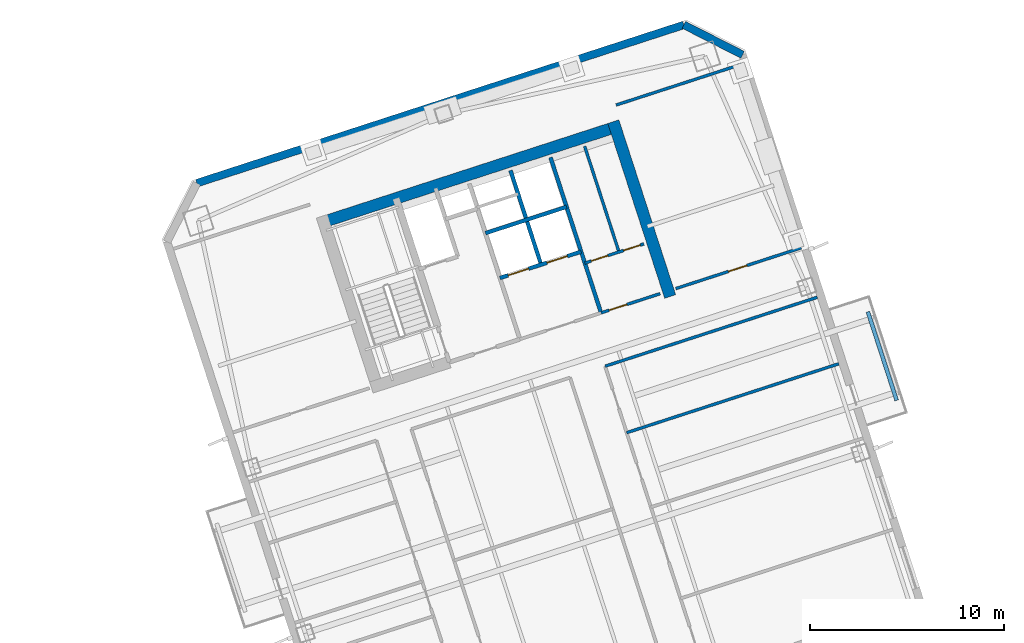
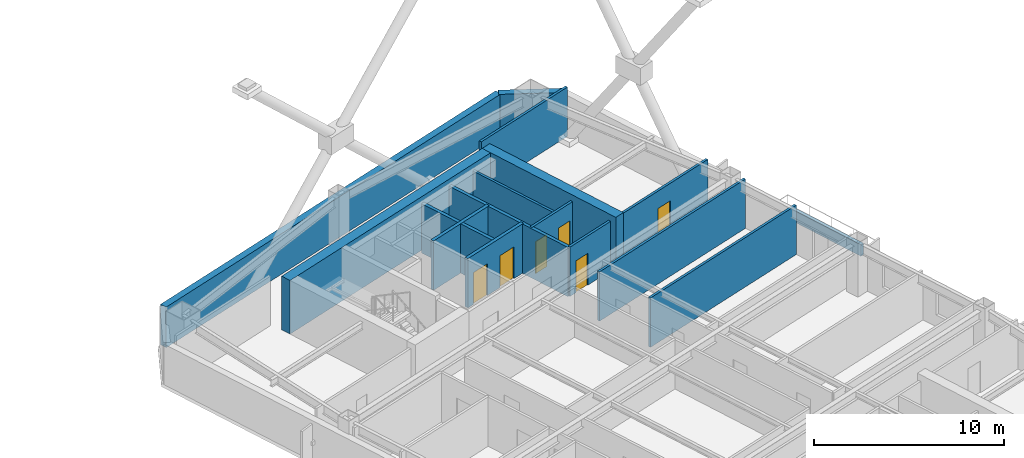
# One storey, part 11 of 18: 16 walls, 6 doors, 6 openings.
"""IFC4 building model written with IfcOpenShell, lengths in metres."""

from ifc_helpers import new_model, si_unit, direction, frame, frame_2d, origin, place, context, subcontext, project, spatial, rectangle, extrude, material, layer, layer_set, type_object, element, fill, save


model = new_model("IFC4")

# Units and contexts
model_context = context("Model", 3, precision=1e-05, world=origin(), true_north=direction((0.0, 1.0)))
body_context = subcontext(model_context, "Body", "Model", "MODEL_VIEW")
ifc_project = project(units=[si_unit("LENGTHUNIT", "METRE"), si_unit("AREAUNIT", "SQUARE_METRE"), si_unit("VOLUMEUNIT", "CUBIC_METRE"), si_unit("PLANEANGLEUNIT", "RADIAN"), si_unit("MASSUNIT", "GRAM", prefix="KILO")], contexts=[model_context])

# Site, building, storey
site_placement = place(None, origin())
site = spatial("IfcSite", under=ifc_project, at=site_placement, CompositionType="ELEMENT")
building_placement = place(site_placement, origin())
building = spatial("IfcBuilding", under=site, at=building_placement, Name="Qiaolan Cultural Towers", CompositionType="ELEMENT")
storey_placement = place(building_placement, frame((0.0, 0.0, 163.300048828125)))
storey = spatial("IfcBuildingStorey", under=building, at=storey_placement, Name="L43", CompositionType="ELEMENT", Elevation=163.300048828125)

# Walls
ifc_material_1 = material(Name="Concrete C55", Category="concrete")
ifc_layer_1 = layer(ifc_material_1, 0.60009765625)
ifc_layer_set_1 = layer_set([ifc_layer_1], Name="Concrete C55")
wall_type_1 = type_object("IfcWallType", Name="WL-CORE-600", PredefinedType="SHEAR", material=ifc_layer_set_1)
wall_1_placement = place(storey_placement, frame((76.343505859375, 50.4658203125, 0.0), z_axis=(0.0, 0.0, 1.0), x_axis=(0.951055727519, 0.309019421968, 0.0)))
element("IfcWall", 1, at=wall_1_placement, inside=storey, type_object=wall_type_1, Name="L43 T2-CN Outer Core Shear Wall", PredefinedType="SHEAR", context=body_context, shape_type="SweptSolid", body=[
    extrude(rectangle(XDim=16.39990234375, YDim=0.60009765625, at=frame_2d((8.199951171875, 0.0))), origin(), (0.0, 0.0, 1.0), 3.449951171875),
])
wall_2_placement = place(storey_placement, frame((94.4921875, 46.710205078125, 0.0), z_axis=(0.0, 0.0, 1.0), x_axis=(-0.309010370028, 0.95105866865, 0.0)))
element("IfcWall", 2, at=wall_2_placement, inside=storey, type_object=wall_type_1, Name="L43 T2-CN East Core Shear Wall", PredefinedType="SHEAR", context=body_context, shape_type="SweptSolid", body=[
    extrude(rectangle(XDim=9.47998046875, YDim=0.60009765625, at=frame_2d((4.739990234375, 0.0))), origin(), (0.0, 0.0, 1.0), 3.449951171875),
])
ifc_material_2 = material(Name="Precast Concrete C50 Honed Stone Pier", Category="masonry")
ifc_layer_2 = layer(ifc_material_2, 0.39990234375)
ifc_layer_set_2 = layer_set([ifc_layer_2], Name="Precast Concrete C50 Honed Stone Pier")
wall_type_2 = type_object("IfcWallType", Name="WL-EXT-PIER-400", PredefinedType="SOLIDWALL", material=ifc_layer_set_2)
wall_3_placement = place(storey_placement, frame((70.091552734375, 52.55615234375, 0.0), z_axis=(0.0, 0.0, 1.0), x_axis=(0.951057580055, 0.30901372044, 0.0)))
element("IfcWall", 3, at=wall_3_placement, inside=storey, type_object=wall_type_2, Name="L43 East Tower Precast Pier Facade Wall F3", PredefinedType="SOLIDWALL", context=body_context, shape_type="SweptSolid", body=[
    extrude(rectangle(XDim=26.39990234375, YDim=0.39990234375, at=frame_2d((13.199951171875, 0.0))), origin(), (0.0, 0.0, 1.0), 2.60986328125),
])
wall_4_placement = place(storey_placement, frame((95.199462890625, 60.714111328125, 0.0), z_axis=(0.0, 0.0, 1.0), x_axis=(0.891020832027, -0.453962417932, 0.0)))
element("IfcWall", 4, at=wall_4_placement, inside=storey, type_object=wall_type_2, Name="L43 East Tower Precast Pier Facade Wall F4", PredefinedType="SOLIDWALL", context=body_context, shape_type="SweptSolid", body=[
    extrude(rectangle(XDim=3.39404296875, YDim=0.39990234375, at=frame_2d((1.697021484375, 0.0))), origin(), (0.0, 0.0, 1.0), 2.60986328125),
])
ifc_material_3 = material(Name="Concrete C35 Fire Wall", Category="concrete")
ifc_layer_3 = layer(ifc_material_3, 0.199951171875)
ifc_layer_set_3 = layer_set([ifc_layer_3], Name="Concrete C35 Fire Wall")
wall_type_3 = type_object("IfcWallType", Name="WL-FIRE-200", PredefinedType="PARTITIONING", material=ifc_layer_set_3)
wall_5_placement = place(storey_placement, frame((90.92822265625, 45.86767578125, 0.0), z_axis=(0.0, 0.0, 1.0), x_axis=(-0.309042196757, 0.951048327176, 0.0)))
element("IfcWall", 5, at=wall_5_placement, inside=storey, type_object=wall_type_3, Name="L43 T2-CN Lift Core East Wall", PredefinedType="PARTITIONING", context=body_context, shape_type="SweptSolid", body=[
    extrude(rectangle(XDim=8.429931640625, YDim=0.199951171875, at=frame_2d((4.21484375, 0.0))), origin(), (0.0, 0.0, 1.0), 3.175048828125),
])

# Wall, openings, doors
wall_6_placement = place(storey_placement, frame((85.717529296875, 47.66552734375, 0.0), z_axis=(0.0, 0.0, 1.0), x_axis=(0.951058531764, 0.30901079133, 0.0)))
wall_6 = element("IfcWall", 6, at=wall_6_placement, inside=storey, type_object=wall_type_3, Name="L43 T2-CN Passenger Lift Shaft Front Wall", PredefinedType="PARTITIONING", context=body_context, shape_type="SweptSolid", body=[
    extrude(rectangle(XDim=4.39990234375, YDim=0.199951171875, at=frame_2d((2.199951171875, 0.0))), origin(), (0.0, 0.0, 1.0), 3.175048828125),
])
opening_1_placement = place(wall_6_placement, frame((0.449951171875, 0.0, 0.0)))
opening_1 = element("IfcOpeningElement", 7, at=opening_1_placement, cuts=wall_6, Name="Opening LD-01", PredefinedType="OPENING", context=body_context, shape_type="SweptSolid", body=[
    extrude(rectangle(XDim=1.10009765625, YDim=2.050048828125, at=frame_2d((0.550048828125, 1.02490234375))), frame((0.0, 0.10986328125, 0.0), z_axis=(0.0, -1.0, 0.0), x_axis=(1.0, 0.0, 0.0)), (0.0, 0.0, 1.0), 0.219970703125),
])
opening_2_placement = place(wall_6_placement, frame((2.550048828125, 0.0, 0.0)))
opening_2 = element("IfcOpeningElement", 8, at=opening_2_placement, cuts=wall_6, Name="Opening LD-01", PredefinedType="OPENING", context=body_context, shape_type="SweptSolid", body=[
    extrude(rectangle(XDim=1.10009765625, YDim=2.050048828125, at=frame_2d((0.550048828125, 1.02490234375))), frame((0.0, 0.10986328125, 0.0), z_axis=(0.0, -1.0, 0.0), x_axis=(1.0, 0.0, 0.0)), (0.0, 0.0, 1.0), 0.219970703125),
])
ifc_material_4 = material(Name="Brushed Stainless Steel S30408 Centre-Parting Lift Landing Door", Category="steel")
door_type_1 = type_object("IfcDoorType", Name="DR-LIFT-1100", OperationType="NOTDEFINED", PredefinedType="DOOR", material=ifc_material_4)
door_1_placement = place(opening_1_placement, origin())
door_1 = element("IfcDoor", 9, at=door_1_placement, inside=storey, type_object=door_type_1, Name="L43 Passenger Lift 1 Landing Door", OperationType="DOUBLE_DOOR_SLIDING", OverallHeight=2.050048828125, OverallWidth=1.10009765625, PredefinedType="DOOR", context=body_context, shape_type="SweptSolid", body=[
    extrude(rectangle(XDim=1.10009765625, YDim=2.050048828125, at=frame_2d((0.550048828125, 1.02490234375))), frame((0.0, 0.02490234375, 0.0), z_axis=(0.0, -1.0, 0.0), x_axis=(1.0, 0.0, 0.0)), (0.0, 0.0, 1.0), 0.050048828125),
])
fill(opening_1, door_1)
door_2_placement = place(opening_2_placement, origin())
door_2 = element("IfcDoor", 10, at=door_2_placement, inside=storey, type_object=door_type_1, Name="L43 Passenger Lift 2 Landing Door", OperationType="DOUBLE_DOOR_SLIDING", OverallHeight=2.050048828125, OverallWidth=1.10009765625, PredefinedType="DOOR", context=body_context, shape_type="SweptSolid", body=[
    extrude(rectangle(XDim=1.10009765625, YDim=2.050048828125, at=frame_2d((0.550048828125, 1.02490234375))), frame((0.0, 0.02490234375, 0.0), z_axis=(0.0, -1.0, 0.0), x_axis=(1.0, 0.0, 0.0)), (0.0, 0.0, 1.0), 0.050048828125),
])
fill(opening_2, door_2)

# Walls
wall_7_placement = place(storey_placement, frame((87.83837890625, 48.3544921875, 0.0), z_axis=(0.0, 0.0, 1.0), x_axis=(-0.3090093719, 0.951058992953, 0.0)))
element("IfcWall", 11, at=wall_7_placement, inside=storey, type_object=wall_type_3, Name="L43 T2-CN Lift Shaft Divider Wall", PredefinedType="PARTITIONING", context=body_context, shape_type="SweptSolid", body=[
    extrude(rectangle(XDim=5.110107421875, YDim=0.199951171875, at=frame_2d((2.55517578125, 0.0))), origin(), (0.0, 0.0, 1.0), 3.175048828125),
])
wall_8_placement = place(storey_placement, frame((84.966552734375, 49.9765625, 0.0), z_axis=(0.0, 0.0, 1.0), x_axis=(0.951063829732, 0.308994485023, 0.0)))
element("IfcWall", 12, at=wall_8_placement, inside=storey, type_object=wall_type_3, Name="L43 T2-CN Passenger Lift Shaft Back Wall", PredefinedType="PARTITIONING", context=body_context, shape_type="SweptSolid", body=[
    extrude(rectangle(XDim=4.400146484375, YDim=0.199951171875, at=frame_2d((2.2001953125, 0.0))), origin(), (0.0, 0.0, 1.0), 3.175048828125),
])

# Wall, opening, door
ifc_material_5 = material(Name="Autoclaved Aerated Concrete Block B06", Category="concrete")
ifc_layer_4 = layer(ifc_material_5, 0.14990234375)
ifc_layer_set_4 = layer_set([ifc_layer_4], Name="Autoclaved Aerated Concrete Block B06")
wall_type_4 = type_object("IfcWallType", Name="WL-PART-150", PredefinedType="PARTITIONING", material=ifc_layer_set_4)
wall_9_placement = place(storey_placement, frame((90.92822265625, 45.86767578125, 0.0), z_axis=(0.0, 0.0, 1.0), x_axis=(0.951059297078, 0.309008435874, 0.0)))
wall_9 = element("IfcWall", 13, at=wall_9_placement, inside=storey, type_object=wall_type_4, Name="L43 T2-CN Sanitary Core Front Wall", PredefinedType="PARTITIONING", context=body_context, shape_type="SweptSolid", body=[
    extrude(rectangle(XDim=3.19970703125, YDim=0.14990234375, at=frame_2d((1.599853515625, 0.0))), origin(), (0.0, 0.0, 1.0), 3.175048828125),
])
opening_3_placement = place(wall_9_placement, frame((0.449951171875, 0.0, 0.0)))
opening_3 = element("IfcOpeningElement", 14, at=opening_3_placement, cuts=wall_9, Name="Opening ID-05", PredefinedType="OPENING", context=body_context, shape_type="SweptSolid", body=[
    extrude(rectangle(XDim=0.949951171875, YDim=2.050048828125, at=frame_2d((0.47509765625, 1.02490234375))), frame((0.0, 0.0849609375, 0.0), z_axis=(0.0, -1.0, 0.0), x_axis=(1.0, 0.0, 0.0)), (0.0, 0.0, 1.0), 0.169921875),
])
ifc_material_6 = material(Name="Fire-Rated Laminate Accessible Core Door", Category="timber")
door_type_2 = type_object("IfcDoorType", Name="DR-INT-950", OperationType="NOTDEFINED", PredefinedType="DOOR", material=ifc_material_6)
door_3_placement = place(opening_3_placement, origin())
door_3 = element("IfcDoor", 15, at=door_3_placement, inside=storey, type_object=door_type_2, Name="L43 Sanitary Vestibule Door", OperationType="SINGLE_SWING_LEFT", OverallHeight=2.050048828125, OverallWidth=0.949951171875, PredefinedType="DOOR", context=body_context, shape_type="SweptSolid", body=[
    extrude(rectangle(XDim=0.949951171875, YDim=2.050048828125, at=frame_2d((0.47509765625, 1.02490234375))), frame((0.0, 0.02490234375, 0.0), z_axis=(0.0, -1.0, 0.0), x_axis=(1.0, 0.0, 0.0)), (0.0, 0.0, 1.0), 0.050048828125),
])
fill(opening_3, door_3)

# Wall, openings, doors
wall_10_placement = place(storey_placement, frame((90.09375, 48.435546875, 0.0), z_axis=(0.0, 0.0, 1.0), x_axis=(0.951066581729, 0.308986014439, 0.0)))
wall_10 = element("IfcWall", 16, at=wall_10_placement, inside=storey, type_object=wall_type_4, Name="L43 T2-CN Restroom Vestibule Wall", PredefinedType="PARTITIONING", context=body_context, shape_type="SweptSolid", body=[
    extrude(rectangle(XDim=3.199951171875, YDim=0.14990234375, at=frame_2d((1.60009765625, 0.0))), origin(), (0.0, 0.0, 1.0), 3.175048828125),
])
opening_4_placement = place(wall_10_placement, frame((0.35009765625, 0.0, 0.0)))
opening_4 = element("IfcOpeningElement", 17, at=opening_4_placement, cuts=wall_10, Name="Opening ID-06", PredefinedType="OPENING", context=body_context, shape_type="SweptSolid", body=[
    extrude(rectangle(XDim=0.89990234375, YDim=2.050048828125, at=frame_2d((0.449951171875, 1.02490234375))), frame((0.0, 0.0849609375, 0.0), z_axis=(0.0, -1.0, 0.0), x_axis=(1.0, 0.0, 0.0)), (0.0, 0.0, 1.0), 0.169921875),
])
opening_5_placement = place(wall_10_placement, frame((2.10009765625, 0.0, 0.0)))
opening_5 = element("IfcOpeningElement", 18, at=opening_5_placement, cuts=wall_10, Name="Opening ID-06", PredefinedType="OPENING", context=body_context, shape_type="SweptSolid", body=[
    extrude(rectangle(XDim=0.89990234375, YDim=2.050048828125, at=frame_2d((0.449951171875, 1.02490234375))), frame((0.0, 0.0849609375, 0.0), z_axis=(0.0, -1.0, 0.0), x_axis=(1.0, 0.0, 0.0)), (0.0, 0.0, 1.0), 0.169921875),
])
ifc_material_7 = material(Name="Fire-Rated Laminate Core Service Door", Category="timber")
door_type_3 = type_object("IfcDoorType", Name="DR-INT-900", OperationType="NOTDEFINED", PredefinedType="DOOR", material=ifc_material_7)
door_4_placement = place(opening_4_placement, origin())
door_4 = element("IfcDoor", 19, at=door_4_placement, inside=storey, type_object=door_type_3, Name="L43 Men Restroom Door", OperationType="SINGLE_SWING_LEFT", OverallHeight=2.050048828125, OverallWidth=0.89990234375, PredefinedType="DOOR", context=body_context, shape_type="SweptSolid", body=[
    extrude(rectangle(XDim=0.89990234375, YDim=2.050048828125, at=frame_2d((0.449951171875, 1.02490234375))), frame((0.0, 0.02490234375, 0.0), z_axis=(0.0, -1.0, 0.0), x_axis=(1.0, 0.0, 0.0)), (0.0, 0.0, 1.0), 0.050048828125),
])
fill(opening_4, door_4)
door_5_placement = place(opening_5_placement, origin())
door_5 = element("IfcDoor", 20, at=door_5_placement, inside=storey, type_object=door_type_3, Name="L43 Accessible & Women Restroom Door", OperationType="SINGLE_SWING_RIGHT", OverallHeight=2.050048828125, OverallWidth=0.89990234375, PredefinedType="DOOR", context=body_context, shape_type="SweptSolid", body=[
    extrude(rectangle(XDim=0.89990234375, YDim=2.050048828125, at=frame_2d((0.449951171875, 1.02490234375))), frame((0.0, 0.02490234375, 0.0), z_axis=(0.0, -1.0, 0.0), x_axis=(1.0, 0.0, 0.0)), (0.0, 0.0, 1.0), 0.050048828125),
])
fill(opening_5, door_5)

# Walls
wall_11_placement = place(storey_placement, frame((91.853271484375, 49.007080078125, 0.0), z_axis=(0.0, 0.0, 1.0), x_axis=(-0.309022487551, 0.951054731437, 0.0)))
element("IfcWall", 21, at=wall_11_placement, inside=storey, type_object=wall_type_4, Name="L43 T2-CN Restroom Divider Wall", PredefinedType="PARTITIONING", context=body_context, shape_type="SweptSolid", body=[
    extrude(rectangle(XDim=5.730224609375, YDim=0.14990234375, at=frame_2d((2.865234375, 0.0))), origin(), (0.0, 0.0, 1.0), 3.175048828125),
])
wall_12_placement = place(storey_placement, frame((91.705078125, 56.582275390625, 0.0), z_axis=(0.0, 0.0, 1.0), x_axis=(0.951057811516, 0.309013008068, 0.0)))
element("IfcWall", 22, at=wall_12_placement, inside=storey, type_object=wall_type_4, Name="L43 T2 Flank Wall FLK-NE", PredefinedType="PARTITIONING", context=body_context, shape_type="SweptSolid", body=[
    extrude(rectangle(XDim=6.800048828125, YDim=0.14990234375, at=frame_2d((3.39990234375, 0.0))), origin(), (0.0, 0.0, 1.0), 3.175048828125),
])

# Wall, opening, door
wall_13_placement = place(storey_placement, frame((94.77978515625, 47.119140625, 0.0), z_axis=(0.0, 0.0, 1.0), x_axis=(0.951057811516, 0.309013008068, 0.0)))
wall_13 = element("IfcWall", 23, at=wall_13_placement, inside=storey, type_object=wall_type_4, Name="L43 T2 Flank Front FLK-NE", PredefinedType="PARTITIONING", context=body_context, shape_type="SweptSolid", body=[
    extrude(rectangle(XDim=6.800048828125, YDim=0.14990234375, at=frame_2d((3.39990234375, 0.0))), origin(), (0.0, 0.0, 1.0), 3.175048828125),
])
opening_6_placement = place(wall_13_placement, frame((2.85595703125, 0.0, 0.0)))
opening_6 = element("IfcOpeningElement", 24, at=opening_6_placement, cuts=wall_13, Name="Opening ID-04", PredefinedType="OPENING", context=body_context, shape_type="SweptSolid", body=[
    extrude(rectangle(XDim=1.0, YDim=2.050048828125, at=frame_2d((0.5, 1.02490234375))), frame((0.0, 0.0849609375, 0.0), z_axis=(0.0, -1.0, 0.0), x_axis=(1.0, 0.0, 0.0)), (0.0, 0.0, 1.0), 0.169921875),
])
ifc_material_8 = material(Name="Oak Veneer Acoustic Office Door", Category="timber")
door_type_4 = type_object("IfcDoorType", Name="DR-INT-1000", OperationType="NOTDEFINED", PredefinedType="DOOR", material=ifc_material_8)
door_6_placement = place(opening_6_placement, origin())
door_6 = element("IfcDoor", 25, at=door_6_placement, inside=storey, type_object=door_type_4, Name="L43 T2 Corner Studio Door", OperationType="SINGLE_SWING_LEFT", OverallHeight=2.050048828125, OverallWidth=1.0, PredefinedType="DOOR", context=body_context, shape_type="SweptSolid", body=[
    extrude(rectangle(XDim=1.0, YDim=2.050048828125, at=frame_2d((0.5, 1.02490234375))), frame((0.0, 0.02490234375, 0.0), z_axis=(0.0, -1.0, 0.0), x_axis=(1.0, 0.0, 0.0)), (0.0, 0.0, 1.0), 0.050048828125),
])
fill(opening_6, door_6)

# Walls
wall_14_placement = place(storey_placement, frame((91.13818359375, 43.117919921875, 0.0), z_axis=(0.0, 0.0, 1.0), x_axis=(0.951054972381, 0.309021746015, 0.0)))
element("IfcWall", 26, at=wall_14_placement, inside=storey, type_object=wall_type_4, Name="L43 T2 Interior Wall", PredefinedType="PARTITIONING", context=body_context, shape_type="SweptSolid", body=[
    extrude(rectangle(XDim=11.499755859375, YDim=0.14990234375, at=frame_2d((5.75, 0.0))), origin(), (0.0, 0.0, 1.0), 3.175048828125),
])
wall_15_placement = place(storey_placement, frame((92.25146484375, 39.69140625, 0.0), z_axis=(0.0, 0.0, 1.0), x_axis=(0.951063238644, 0.308996304347, 0.0)))
element("IfcWall", 27, at=wall_15_placement, inside=storey, type_object=wall_type_4, Name="L43 T2 Interior Wall", PredefinedType="PARTITIONING", context=body_context, shape_type="SweptSolid", body=[
    extrude(rectangle(XDim=11.5, YDim=0.14990234375, at=frame_2d((5.75, 0.0))), origin(), (0.0, 0.0, 1.0), 3.175048828125),
])
ifc_material_9 = material(Name="Precast Concrete C45 Tree Planter Upstand", Category="concrete")
ifc_layer_5 = layer(ifc_material_9, 0.199951171875)
ifc_layer_set_5 = layer_set([ifc_layer_5], Name="Precast Concrete C45 Tree Planter Upstand")
wall_type_5 = type_object("IfcWallType", Name="WL-PLANTER-200", PredefinedType="PARAPET", material=ifc_layer_set_5)
wall_16_placement = place(storey_placement, frame((106.168212890625, 41.356201171875, 0.0), z_axis=(0.0, 0.0, 1.0), x_axis=(-0.309032019345, 0.951051634255, 0.0)))
element("IfcWall", 28, at=wall_16_placement, inside=storey, type_object=wall_type_5, Name="L43 T2 Tree Balcony Soil Planter Box E", PredefinedType="PARAPET", context=body_context, shape_type="SweptSolid", body=[
    extrude(rectangle(XDim=4.800048828125, YDim=0.199951171875, at=frame_2d((2.39990234375, 0.0))), origin(), (0.0, 0.0, 1.0), 0.75),
])

save(model, "model.ifc")
